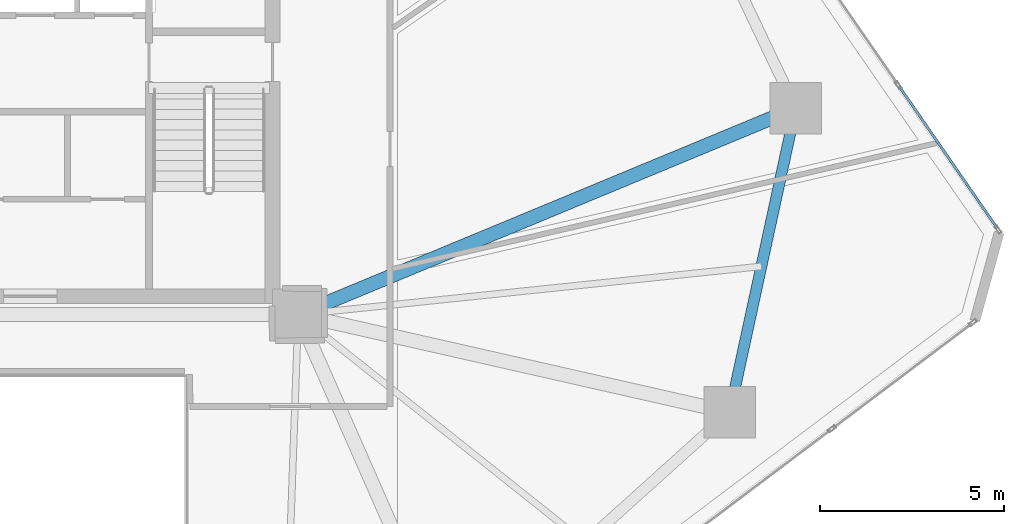
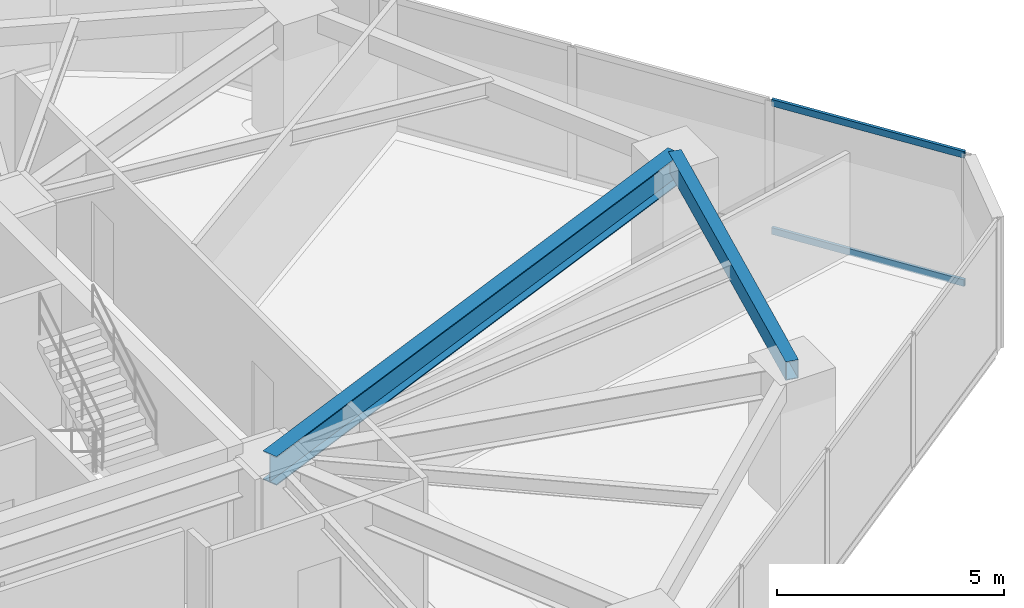
# One storey, part 11 of 23: 2 beams, 2 members, 1 element without a shape of its own.
"""IFC4 building model written with IfcOpenShell, lengths in metres."""

from ifc_helpers import new_model, si_unit, direction, frame, origin, origin_2d, place, context, subcontext, project, spatial, hollow_rectangle, i_section, extrude, source, transform, mapped, material, layer, layer_set, material_profile, profile_set, type_object, type_shapes, element, aggregate, save


model = new_model("IFC4")

# Units and contexts
model_context = context("Model", 3, precision=1e-05, world=origin(), true_north=direction((0.0, 1.0)))
body_context = subcontext(model_context, "Body", "Model", "MODEL_VIEW")
ifc_project = project(units=[si_unit("LENGTHUNIT", "METRE"), si_unit("AREAUNIT", "SQUARE_METRE"), si_unit("VOLUMEUNIT", "CUBIC_METRE"), si_unit("PLANEANGLEUNIT", "RADIAN"), si_unit("MASSUNIT", "GRAM", prefix="KILO")], contexts=[model_context])

# Site, building, storey
site_placement = place(None, origin())
site = spatial("IfcSite", under=ifc_project, at=site_placement, CompositionType="ELEMENT")
building_placement = place(site_placement, origin())
building = spatial("IfcBuilding", under=site, at=building_placement, Name="Talar Marvaseh", CompositionType="ELEMENT")
storey_placement = place(building_placement, frame((0.0, 0.0, 69.60009765625)))
storey = spatial("IfcBuildingStorey", under=building, at=storey_placement, Name="L17", CompositionType="ELEMENT", Elevation=69.60009765625)

# Beams
ifc_material_1 = material(Name="Steel S355", Category="steel")
ifc_material_profile_1 = material_profile(ifc_material_1, hollow_rectangle(XDim=0.300048828125, YDim=0.5, WallThickness=0.02001953125, at=origin_2d()), Name="RHS500x300x20")
ifc_profile_set_1 = profile_set([ifc_material_profile_1], Name="Steel S355")
beam_type_1 = type_object("IfcBeamType", Name="Zone 1 Perimeter Spandrel Beam RHS500x300x20", PredefinedType="SPANDREL", material=ifc_profile_set_1)
beam_1_placement = place(storey_placement, frame((46.841064453125, 31.118896484375, 3.27001953125), z_axis=(-0.212134113363, -0.977240562987, 0.0), x_axis=(0.977240562987, -0.212134113363, 0.0)))
element("IfcBeam", 1, at=beam_1_placement, inside=storey, type_object=beam_type_1, Name="L17 Zone 1 Perimeter Spandrel Beam RHS500x300x20", PredefinedType="SPANDREL", context=body_context, shape_type="SweptSolid", body=[
    extrude(hollow_rectangle(XDim=0.300048828125, YDim=0.5, WallThickness=0.02001953125, at=origin_2d()), origin(), (0.0, 0.0, 1.0), 8.4716796875),
])
ifc_material_profile_2 = material_profile(ifc_material_1, i_section(OverallWidth=0.381103515625, OverallDepth=0.77294921875, WebThickness=0.0166015625, FlangeThickness=0.027099609375, at=origin_2d()), Name="W760x257")
ifc_profile_set_2 = profile_set([ifc_material_profile_2], Name="Steel S355")
beam_type_2 = type_object("IfcBeamType", Name="Zone 1 Radial Floor Girder W760x257", PredefinedType="BEAM", material=ifc_profile_set_2)
beam_2_placement = place(storey_placement, frame((46.841064453125, 31.118896484375, 3.13330078125), z_axis=(-0.923637605375, -0.383266974753, 0.0), x_axis=(0.383266974753, -0.923637605375, 0.0)))
element("IfcBeam", 2, at=beam_2_placement, inside=storey, type_object=beam_type_2, Name="L17 Zone 1 Radial Floor Girder W760x257", PredefinedType="BEAM", context=body_context, shape_type="SweptSolid", body=[
    extrude(i_section(OverallWidth=0.381103515625, OverallDepth=0.77294921875, WebThickness=0.0166015625, FlangeThickness=0.027099609375, at=origin_2d()), origin(), (0.0, 0.0, 1.0), 14.66064453125),
])

# Curtain wall, members
ifc_material_2 = material(Name="Architectural Aluminium", Category="aluminium")
ifc_layer = layer(ifc_material_2, 0.219970703125)
ifc_layer_set = layer_set([ifc_layer], Name="Architectural Aluminium")
curtain_wall_type = type_object("IfcCurtainWallType", Name="Unitised Low-E Museum Curtain Wall Z1", PredefinedType="NOTDEFINED", material=ifc_layer_set)
curtain_wall_placement = place(storey_placement, origin())
curtain_wall = element("IfcCurtainWall", 3, at=curtain_wall_placement, inside=storey, type_object=curtain_wall_type, Name="L17 Unitised Low-E Museum Curtain Wall Z1", PredefinedType="NOTDEFINED")
ifc_material_profile_3 = material_profile(ifc_material_2, hollow_rectangle(XDim=0.074951171875, YDim=0.179931640625, WallThickness=0.0048828125, at=origin_2d()), Name="RHS180x75x5")
ifc_profile_set_3 = profile_set([ifc_material_profile_3], Name="Architectural Aluminium")
member_type = type_object("IfcMemberType", Name="Unitised Curtain Wall Transom RHS180x75x5", PredefinedType="USERDEFINED", material=ifc_profile_set_3)
shared_shape = source(origin(), body_context, "Body", "SweptSolid", [
    extrude(hollow_rectangle(XDim=0.074951171875, YDim=0.179931640625, WallThickness=0.0048828125, at=origin_2d()), origin(), (0.0, 0.0, 1.0), 4.69677734375),
])
type_shapes(member_type, [shared_shape])
member_1_placement = place(storey_placement, frame((49.65576171875, 31.712646484375, 0.037353515625), z_axis=(0.568620575597, -0.822599927673, 0.0), x_axis=(0.822599927673, 0.568620575597, 0.0)))
member_1 = element("IfcMember", 4, at=member_1_placement, type_object=member_type, Name="CW-Z1 transom 4.1", ObjectType="TRANSOM", PredefinedType="USERDEFINED", context=body_context, shape_type="MappedRepresentation", body=[
    mapped(shared_shape, transform((0.0, 0.0, 0.0), x_axis=(1.0, 0.0, 0.0), y_axis=(0.0, 1.0, 0.0), z_axis=(0.0, 0.0, 1.0), scale=1.0)),
])
member_2_placement = place(storey_placement, frame((49.65576171875, 31.712646484375, 3.482421875), z_axis=(0.568620575597, -0.822599927673, 0.0), x_axis=(0.822599927673, 0.568620575597, 0.0)))
member_2 = element("IfcMember", 5, at=member_2_placement, type_object=member_type, Name="CW-Z1 transom 4.2", ObjectType="TRANSOM", PredefinedType="USERDEFINED", context=body_context, shape_type="MappedRepresentation", body=[
    mapped(shared_shape, transform((0.0, 0.0, 0.0), x_axis=(1.0, 0.0, 0.0), y_axis=(0.0, 1.0, 0.0), z_axis=(0.0, 0.0, 1.0), scale=1.0)),
])
aggregate(curtain_wall, [member_1, member_2])

save(model, "model.ifc")
